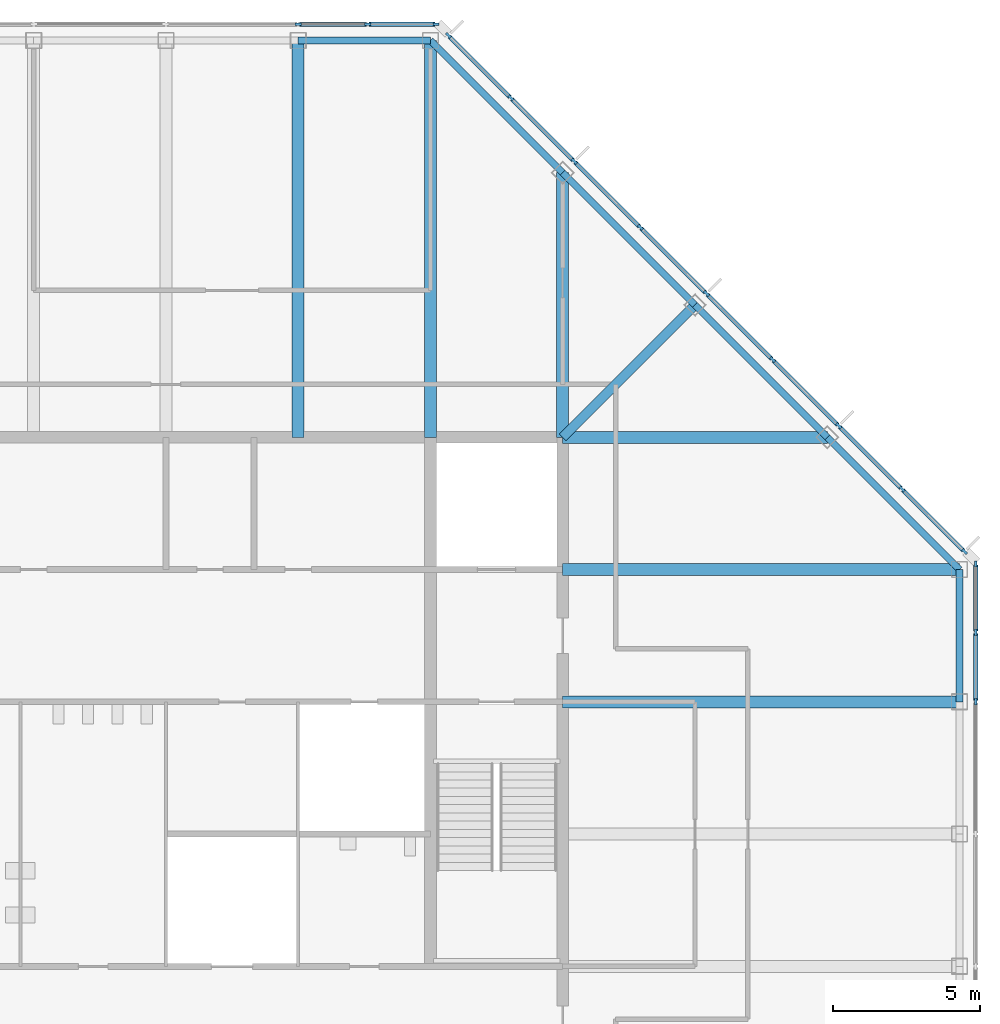
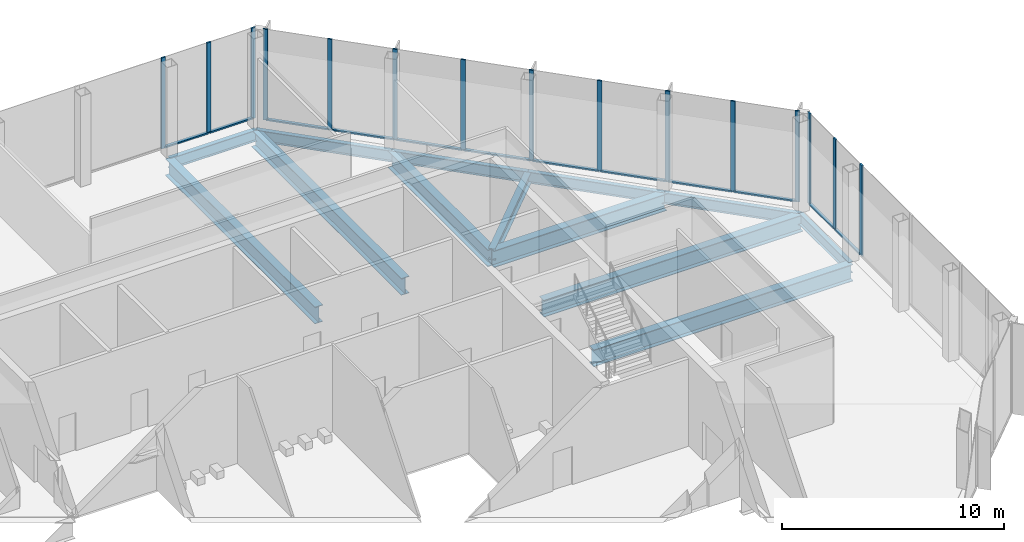
# One storey, part 5 of 11: 27 members, 13 beams, 3 elements without a shape of their own.
"""IFC4 building model written with IfcOpenShell, lengths in metres."""

from ifc_helpers import new_model, si_unit, direction, frame, origin, origin_2d, place, context, subcontext, project, spatial, rectangle, i_section, extrude, material, material_profile, profile_set, type_object, element, aggregate, save


model = new_model("IFC4")

# Units and contexts
model_context = context("Model", 3, precision=1e-05, world=origin(), true_north=direction((0.0, 1.0)))
body_context = subcontext(model_context, "Body", "Model", "MODEL_VIEW")
ifc_project = project(units=[si_unit("LENGTHUNIT", "METRE"), si_unit("AREAUNIT", "SQUARE_METRE"), si_unit("VOLUMEUNIT", "CUBIC_METRE"), si_unit("PLANEANGLEUNIT", "RADIAN"), si_unit("MASSUNIT", "GRAM", prefix="KILO")], contexts=[model_context])

# Site, building, storey
site_placement = place(None, origin())
site = spatial("IfcSite", under=ifc_project, at=site_placement, CompositionType="ELEMENT")
building_placement = place(site_placement, origin())
building = spatial("IfcBuilding", under=site, at=building_placement, Name="Corais Broadcast Tower", CompositionType="ELEMENT")
storey_placement = place(building_placement, frame((0.0, 0.0, 315.10009765625)))
storey = spatial("IfcBuildingStorey", under=building, at=storey_placement, Name="L74", CompositionType="ELEMENT", Elevation=315.10009765625)

# Beam
ifc_material_1 = material(Name="Steel ASTM A572 Grade 50", Category="steel")
ifc_material_profile_1 = material_profile(ifc_material_1, i_section(OverallWidth=0.323974609375, OverallDepth=0.611083984375, WebThickness=0.0126953125, FlangeThickness=0.01904296875, at=origin_2d()), Name="W610x155")
ifc_profile_set_1 = profile_set([ifc_material_profile_1], Name="Steel ASTM A572 Grade 50")
beam_type_1 = type_object("IfcBeamType", Name="Corner diagonal W610x155", PredefinedType="BEAM", material=ifc_profile_set_1)
beam_1_placement = place(storey_placement, frame((45.0, 45.0, -0.485595703125), z_axis=(-0.707106781187, -0.707106781187, 0.0), x_axis=(0.707106781187, -0.707106781187, 0.0)))
element("IfcBeam", 1, at=beam_1_placement, inside=storey, type_object=beam_type_1, Name="B6 L/13 to K/12", PredefinedType="BEAM", context=body_context, shape_type="SweptSolid", body=[
    extrude(i_section(OverallWidth=0.323974609375, OverallDepth=0.611083984375, WebThickness=0.0126953125, FlangeThickness=0.01904296875, at=origin_2d()), origin(), (0.0, 0.0, 1.0), 6.364013671875),
])

# Curtain wall, members
ifc_material_2 = material(Name="Aluminium and glass", Category="aluminium")
curtain_wall_type = type_object("IfcCurtainWallType", Name="Event hall curtain wall CW6", PredefinedType="NOTDEFINED", material=ifc_material_2)
curtain_wall_1_placement = place(storey_placement, origin())
curtain_wall_1 = element("IfcCurtainWall", 2, at=curtain_wall_1_placement, inside=storey, type_object=curtain_wall_type, Name="CW6 curtain wall L74 4", PredefinedType="NOTDEFINED")
ifc_material_3 = material(Name="Aluminium 6063-T6", Category="aluminium")
ifc_material_profile_2 = material_profile(ifc_material_3, rectangle(XDim=0.080078125, YDim=0.219970703125, at=origin_2d()), Name="Mullion CW6 80x220")
ifc_profile_set_2 = profile_set([ifc_material_profile_2], Name="Aluminium 6063-T6")
member_type_1 = type_object("IfcMemberType", Name="Mullion CW6 80x220", PredefinedType="MULLION", material=ifc_profile_set_2)
member_1_placement = place(storey_placement, frame((31.5, 54.550048828125, 0.0), z_axis=(0.0, 0.0, 1.0), x_axis=(0.0, 1.0, 0.0)))
member_1 = element("IfcMember", 3, at=member_1_placement, type_object=member_type_1, Name="CW6 mullion 5", PredefinedType="MULLION", context=body_context, shape_type="SweptSolid", body=[
    extrude(rectangle(XDim=0.080078125, YDim=0.219970703125, at=origin_2d()), origin(), (0.0, 0.0, 1.0), 5.0),
])
member_2_placement = place(storey_placement, frame((33.864013671875, 54.550048828125, 0.0), z_axis=(0.0, 0.0, 1.0), x_axis=(0.0, 1.0, 0.0)))
member_2 = element("IfcMember", 4, at=member_2_placement, type_object=member_type_1, Name="CW6 mullion 6", PredefinedType="MULLION", context=body_context, shape_type="SweptSolid", body=[
    extrude(rectangle(XDim=0.080078125, YDim=0.219970703125, at=origin_2d()), origin(), (0.0, 0.0, 1.0), 5.0),
])
member_3_placement = place(storey_placement, frame((36.187744140625, 54.550048828125, 0.0), z_axis=(0.0, 0.0, 1.0), x_axis=(0.0, 1.0, 0.0)))
member_3 = element("IfcMember", 5, at=member_3_placement, type_object=member_type_1, Name="CW6 mullion 7", PredefinedType="MULLION", context=body_context, shape_type="SweptSolid", body=[
    extrude(rectangle(XDim=0.080078125, YDim=0.219970703125, at=origin_2d()), origin(), (0.0, 0.0, 1.0), 5.0),
])

curtain_wall_2_placement = place(storey_placement, origin())
curtain_wall_2 = element("IfcCurtainWall", 6, at=curtain_wall_2_placement, inside=storey, type_object=curtain_wall_type, Name="CW6 curtain wall L74 5", PredefinedType="NOTDEFINED")
member_4_placement = place(storey_placement, frame((36.609619140625, 54.168212890625, 0.0), z_axis=(0.0, 0.0, 1.0), x_axis=(0.707106781187, 0.707106781187, 0.0)))
member_4 = element("IfcMember", 7, at=member_4_placement, type_object=member_type_1, Name="CW6 mullion 1", PredefinedType="MULLION", context=body_context, shape_type="SweptSolid", body=[
    extrude(rectangle(XDim=0.080078125, YDim=0.219970703125, at=origin_2d()), origin(), (0.0, 0.0, 1.0), 5.0),
])
member_5_placement = place(storey_placement, frame((38.735107421875, 52.042724609375, 0.0), z_axis=(0.0, 0.0, 1.0), x_axis=(0.707106781187, 0.707106781187, 0.0)))
member_5 = element("IfcMember", 8, at=member_5_placement, type_object=member_type_1, Name="CW6 mullion 2", PredefinedType="MULLION", context=body_context, shape_type="SweptSolid", body=[
    extrude(rectangle(XDim=0.080078125, YDim=0.219970703125, at=origin_2d()), origin(), (0.0, 0.0, 1.0), 5.0),
])
member_6_placement = place(storey_placement, frame((40.888916015625, 49.888916015625, 0.0), z_axis=(0.0, 0.0, 1.0), x_axis=(0.707106781187, 0.707106781187, 0.0)))
member_6 = element("IfcMember", 9, at=member_6_placement, type_object=member_type_1, Name="CW6 mullion 3", PredefinedType="MULLION", context=body_context, shape_type="SweptSolid", body=[
    extrude(rectangle(XDim=0.080078125, YDim=0.219970703125, at=origin_2d()), origin(), (0.0, 0.0, 1.0), 5.0),
])
member_7_placement = place(storey_placement, frame((43.138916015625, 47.638916015625, 0.0), z_axis=(0.0, 0.0, 1.0), x_axis=(0.707106781187, 0.707106781187, 0.0)))
member_7 = element("IfcMember", 10, at=member_7_placement, type_object=member_type_1, Name="CW6 mullion 4", PredefinedType="MULLION", context=body_context, shape_type="SweptSolid", body=[
    extrude(rectangle(XDim=0.080078125, YDim=0.219970703125, at=origin_2d()), origin(), (0.0, 0.0, 1.0), 5.0),
])
member_8_placement = place(storey_placement, frame((45.388916015625, 45.388916015625, 0.0), z_axis=(0.0, 0.0, 1.0), x_axis=(0.707106781187, 0.707106781187, 0.0)))
member_8 = element("IfcMember", 11, at=member_8_placement, type_object=member_type_1, Name="CW6 mullion 5", PredefinedType="MULLION", context=body_context, shape_type="SweptSolid", body=[
    extrude(rectangle(XDim=0.080078125, YDim=0.219970703125, at=origin_2d()), origin(), (0.0, 0.0, 1.0), 5.0),
])
member_9_placement = place(storey_placement, frame((47.638916015625, 43.138916015625, 0.0), z_axis=(0.0, 0.0, 1.0), x_axis=(0.707106781187, 0.707106781187, 0.0)))
member_9 = element("IfcMember", 12, at=member_9_placement, type_object=member_type_1, Name="CW6 mullion 6", PredefinedType="MULLION", context=body_context, shape_type="SweptSolid", body=[
    extrude(rectangle(XDim=0.080078125, YDim=0.219970703125, at=origin_2d()), origin(), (0.0, 0.0, 1.0), 5.0),
])
member_10_placement = place(storey_placement, frame((49.888916015625, 40.888916015625, 0.0), z_axis=(0.0, 0.0, 1.0), x_axis=(0.707106781187, 0.707106781187, 0.0)))
member_10 = element("IfcMember", 13, at=member_10_placement, type_object=member_type_1, Name="CW6 mullion 7", PredefinedType="MULLION", context=body_context, shape_type="SweptSolid", body=[
    extrude(rectangle(XDim=0.080078125, YDim=0.219970703125, at=origin_2d()), origin(), (0.0, 0.0, 1.0), 5.0),
])
member_11_placement = place(storey_placement, frame((52.042724609375, 38.735107421875, 0.0), z_axis=(0.0, 0.0, 1.0), x_axis=(0.707106781187, 0.707106781187, 0.0)))
member_11 = element("IfcMember", 14, at=member_11_placement, type_object=member_type_1, Name="CW6 mullion 8", PredefinedType="MULLION", context=body_context, shape_type="SweptSolid", body=[
    extrude(rectangle(XDim=0.080078125, YDim=0.219970703125, at=origin_2d()), origin(), (0.0, 0.0, 1.0), 5.0),
])
member_12_placement = place(storey_placement, frame((54.168212890625, 36.609619140625, 0.0), z_axis=(0.0, 0.0, 1.0), x_axis=(0.707106781187, 0.707106781187, 0.0)))
member_12 = element("IfcMember", 15, at=member_12_placement, type_object=member_type_1, Name="CW6 mullion 9", PredefinedType="MULLION", context=body_context, shape_type="SweptSolid", body=[
    extrude(rectangle(XDim=0.080078125, YDim=0.219970703125, at=origin_2d()), origin(), (0.0, 0.0, 1.0), 5.0),
])

curtain_wall_3_placement = place(storey_placement, origin())
curtain_wall_3 = element("IfcCurtainWall", 16, at=curtain_wall_3_placement, inside=storey, type_object=curtain_wall_type, Name="CW6 curtain wall L74 6", PredefinedType="NOTDEFINED")
member_13_placement = place(storey_placement, frame((54.550048828125, 36.187744140625, 0.0), z_axis=(0.0, 0.0, 1.0), x_axis=(1.0, 0.0, 0.0)))
member_13 = element("IfcMember", 17, at=member_13_placement, type_object=member_type_1, Name="CW6 mullion 1", PredefinedType="MULLION", context=body_context, shape_type="SweptSolid", body=[
    extrude(rectangle(XDim=0.080078125, YDim=0.219970703125, at=origin_2d()), origin(), (0.0, 0.0, 1.0), 5.0),
])
member_14_placement = place(storey_placement, frame((54.550048828125, 33.864013671875, 0.0), z_axis=(0.0, 0.0, 1.0), x_axis=(1.0, 0.0, 0.0)))
member_14 = element("IfcMember", 18, at=member_14_placement, type_object=member_type_1, Name="CW6 mullion 2", PredefinedType="MULLION", context=body_context, shape_type="SweptSolid", body=[
    extrude(rectangle(XDim=0.080078125, YDim=0.219970703125, at=origin_2d()), origin(), (0.0, 0.0, 1.0), 5.0),
])
member_15_placement = place(storey_placement, frame((54.550048828125, 31.5, 0.0), z_axis=(0.0, 0.0, 1.0), x_axis=(1.0, 0.0, 0.0)))
member_15 = element("IfcMember", 19, at=member_15_placement, type_object=member_type_1, Name="CW6 mullion 3", PredefinedType="MULLION", context=body_context, shape_type="SweptSolid", body=[
    extrude(rectangle(XDim=0.080078125, YDim=0.219970703125, at=origin_2d()), origin(), (0.0, 0.0, 1.0), 5.0),
])

# Beams
ifc_material_4 = material(Name="Steel ASTM A572 Grade 50", Category="steel")
ifc_material_profile_3 = material_profile(ifc_material_4, i_section(OverallWidth=0.408935546875, OverallDepth=0.927001953125, WebThickness=0.0166015625, FlangeThickness=0.030029296875, at=origin_2d()), Name="W920x289")
ifc_profile_set_3 = profile_set([ifc_material_profile_3], Name="Steel ASTM A572 Grade 50")
beam_type_2 = type_object("IfcBeamType", Name="Refuge floor beam W920x289", PredefinedType="BEAM", material=ifc_profile_set_3)
for number, where, z_axis, x_axis, name in (
    (20, (31.5, 54.0, -0.6435546875), (0.0, -1.0, 0.0), (1.0, 0.0, 0.0), "B13 N/10 to K/10"),
    (21, (36.0, 54.0, -0.6435546875), (0.0, -1.0, 0.0), (1.0, 0.0, 0.0), "B13 N/11 to K/11"),
):
    element("IfcBeam", number, at=place(storey_placement, frame(where, z_axis=z_axis, x_axis=x_axis)), inside=storey, type_object=beam_type_2, Name=name, PredefinedType="BEAM", context=body_context, shape_type="SweptSolid", body=[
        extrude(i_section(OverallWidth=0.408935546875, OverallDepth=0.927001953125, WebThickness=0.0166015625, FlangeThickness=0.030029296875, at=origin_2d()), origin(), (0.0, 0.0, 1.0), 13.5),
    ])
for number, where, z_axis, x_axis, name in (
    (22, (40.5, 49.5, -0.6435546875), (0.0, -1.0, 0.0), (1.0, 0.0, 0.0), "B13 M/12 to K/12"),
    (23, (49.5, 40.5, -0.6435546875), (-1.0, 0.0, 0.0), (0.0, -1.0, 0.0), "B13 K/14 to K/12"),
):
    element("IfcBeam", number, at=place(storey_placement, frame(where, z_axis=z_axis, x_axis=x_axis)), inside=storey, type_object=beam_type_2, Name=name, PredefinedType="BEAM", context=body_context, shape_type="SweptSolid", body=[
        extrude(i_section(OverallWidth=0.408935546875, OverallDepth=0.927001953125, WebThickness=0.0166015625, FlangeThickness=0.030029296875, at=origin_2d()), origin(), (0.0, 0.0, 1.0), 9.0),
    ])
for number, where, z_axis, x_axis, name in (
    (24, (54.0, 31.5, -0.6435546875), (-1.0, 0.0, 0.0), (0.0, -1.0, 0.0), "B13 H/15 to H/12"),
    (25, (54.0, 36.0, -0.6435546875), (-1.0, 0.0, 0.0), (0.0, -1.0, 0.0), "B13 J/15 to J/12"),
):
    element("IfcBeam", number, at=place(storey_placement, frame(where, z_axis=z_axis, x_axis=x_axis)), inside=storey, type_object=beam_type_2, Name=name, PredefinedType="BEAM", context=body_context, shape_type="SweptSolid", body=[
        extrude(i_section(OverallWidth=0.408935546875, OverallDepth=0.927001953125, WebThickness=0.0166015625, FlangeThickness=0.030029296875, at=origin_2d()), origin(), (0.0, 0.0, 1.0), 13.5),
    ])
ifc_material_5 = material(Name="Steel ASTM A572 Grade 50", Category="steel")
ifc_material_profile_4 = material_profile(ifc_material_5, i_section(OverallWidth=0.22998046875, OverallDepth=0.616943359375, WebThickness=0.01318359375, FlangeThickness=0.022216796875, at=origin_2d()), Name="W610x140")
ifc_profile_set_4 = profile_set([ifc_material_profile_4], Name="Steel ASTM A572 Grade 50")
beam_type_3 = type_object("IfcBeamType", Name="Spandrel W610x140", PredefinedType="BEAM", material=ifc_profile_set_4)
beam_2_placement = place(storey_placement, frame((36.0, 54.0, -0.488525390625), z_axis=(-1.0, 0.0, 0.0), x_axis=(0.0, -1.0, 0.0)))
element("IfcBeam", 26, at=beam_2_placement, inside=storey, type_object=beam_type_3, Name="SB3 N/11 to N/10", PredefinedType="BEAM", context=body_context, shape_type="SweptSolid", body=[
    extrude(i_section(OverallWidth=0.22998046875, OverallDepth=0.616943359375, WebThickness=0.01318359375, FlangeThickness=0.022216796875, at=origin_2d()), origin(), (0.0, 0.0, 1.0), 4.5),
])
for number, where, z_axis, x_axis, name in (
    (27, (40.5, 49.5, -0.488525390625), (-0.707106781187, 0.707106781187, 0.0), (-0.707106781187, -0.707106781187, 0.0), "SB3 M/12 to N/11"),
    (28, (45.0, 45.0, -0.488525390625), (-0.707106781187, 0.707106781187, 0.0), (-0.707106781187, -0.707106781187, 0.0), "SB3 L/13 to M/12"),
    (29, (49.5, 40.5, -0.488525390625), (-0.707106781187, 0.707106781187, 0.0), (-0.707106781187, -0.707106781187, 0.0), "SB3 K/14 to L/13"),
):
    element("IfcBeam", number, at=place(storey_placement, frame(where, z_axis=z_axis, x_axis=x_axis)), inside=storey, type_object=beam_type_3, Name=name, PredefinedType="BEAM", context=body_context, shape_type="SweptSolid", body=[
        extrude(i_section(OverallWidth=0.22998046875, OverallDepth=0.616943359375, WebThickness=0.01318359375, FlangeThickness=0.022216796875, at=origin_2d()), origin(), (0.0, 0.0, 1.0), 6.364013671875),
    ])
beam_3_placement = place(storey_placement, frame((54.0, 31.5, -0.488525390625), z_axis=(0.0, 1.0, 0.0), x_axis=(-1.0, 0.0, 0.0)))
element("IfcBeam", 30, at=beam_3_placement, inside=storey, type_object=beam_type_3, Name="SB3 H/15 to J/15", PredefinedType="BEAM", context=body_context, shape_type="SweptSolid", body=[
    extrude(i_section(OverallWidth=0.22998046875, OverallDepth=0.616943359375, WebThickness=0.01318359375, FlangeThickness=0.022216796875, at=origin_2d()), origin(), (0.0, 0.0, 1.0), 4.5),
])
beam_4_placement = place(storey_placement, frame((54.0, 36.0, -0.488525390625), z_axis=(-0.707106781187, 0.707106781187, 0.0), x_axis=(-0.707106781187, -0.707106781187, 0.0)))
element("IfcBeam", 31, at=beam_4_placement, inside=storey, type_object=beam_type_3, Name="SB3 J/15 to K/14", PredefinedType="BEAM", context=body_context, shape_type="SweptSolid", body=[
    extrude(i_section(OverallWidth=0.22998046875, OverallDepth=0.616943359375, WebThickness=0.01318359375, FlangeThickness=0.022216796875, at=origin_2d()), origin(), (0.0, 0.0, 1.0), 6.364013671875),
])

# Member
ifc_material_6 = material(Name="Aluminium 6063-T6", Category="aluminium")
ifc_material_profile_5 = material_profile(ifc_material_6, rectangle(XDim=0.14990234375, YDim=0.080078125, at=origin_2d()), Name="Transom CW6 80x150")
ifc_profile_set_5 = profile_set([ifc_material_profile_5], Name="Aluminium 6063-T6")
member_type_2 = type_object("IfcMemberType", Name="Transom CW6 80x150", PredefinedType="USERDEFINED", material=ifc_profile_set_5)
member_16_placement = place(storey_placement, frame((31.5400390625, 54.550048828125, 0.039794921875), z_axis=(1.0, 0.0, 0.0), x_axis=(0.0, 1.0, 0.0)))
member_16 = element("IfcMember", 32, at=member_16_placement, type_object=member_type_2, Name="CW6 transom 5.1", ObjectType="TRANSOM", PredefinedType="USERDEFINED", context=body_context, shape_type="SweptSolid", body=[
    extrude(rectangle(XDim=0.14990234375, YDim=0.080078125, at=origin_2d()), origin(), (0.0, 0.0, 1.0), 2.283935546875),
])

member_17_placement = place(storey_placement, frame((33.90380859375, 54.550048828125, 0.039794921875), z_axis=(1.0, 0.0, 0.0), x_axis=(0.0, 1.0, 0.0)))
member_17 = element("IfcMember", 33, at=member_17_placement, type_object=member_type_2, Name="CW6 transom 6.1", ObjectType="TRANSOM", PredefinedType="USERDEFINED", context=body_context, shape_type="SweptSolid", body=[
    extrude(rectangle(XDim=0.14990234375, YDim=0.080078125, at=origin_2d()), origin(), (0.0, 0.0, 1.0), 2.243896484375),
])

aggregate(curtain_wall_1, [member_1, member_2, member_3, member_16, member_17])

member_18_placement = place(storey_placement, frame((36.637939453125, 54.139892578125, 0.039794921875), z_axis=(0.707106781187, -0.707106781187, 0.0), x_axis=(0.707106781187, 0.707106781187, 0.0)))
member_18 = element("IfcMember", 34, at=member_18_placement, type_object=member_type_2, Name="CW6 transom 1.1", ObjectType="TRANSOM", PredefinedType="USERDEFINED", context=body_context, shape_type="SweptSolid", body=[
    extrude(rectangle(XDim=0.14990234375, YDim=0.080078125, at=origin_2d()), origin(), (0.0, 0.0, 1.0), 2.92578125),
])

member_19_placement = place(storey_placement, frame((38.763427734375, 52.014404296875, 0.039794921875), z_axis=(0.707106781187, -0.707106781187, 0.0), x_axis=(0.707106781187, 0.707106781187, 0.0)))
member_19 = element("IfcMember", 35, at=member_19_placement, type_object=member_type_2, Name="CW6 transom 2.1", ObjectType="TRANSOM", PredefinedType="USERDEFINED", context=body_context, shape_type="SweptSolid", body=[
    extrude(rectangle(XDim=0.14990234375, YDim=0.080078125, at=origin_2d()), origin(), (0.0, 0.0, 1.0), 2.9658203125),
])

member_20_placement = place(storey_placement, frame((40.917236328125, 49.860595703125, 0.039794921875), z_axis=(0.707106781187, -0.707106781187, 0.0), x_axis=(0.707106781187, 0.707106781187, 0.0)))
member_20 = element("IfcMember", 36, at=member_20_placement, type_object=member_type_2, Name="CW6 transom 3.1", ObjectType="TRANSOM", PredefinedType="USERDEFINED", context=body_context, shape_type="SweptSolid", body=[
    extrude(rectangle(XDim=0.14990234375, YDim=0.080078125, at=origin_2d()), origin(), (0.0, 0.0, 1.0), 3.101806640625),
])

member_21_placement = place(storey_placement, frame((43.167236328125, 47.610595703125, 0.039794921875), z_axis=(0.707106781187, -0.707106781187, 0.0), x_axis=(0.707106781187, 0.707106781187, 0.0)))
member_21 = element("IfcMember", 37, at=member_21_placement, type_object=member_type_2, Name="CW6 transom 4.1", ObjectType="TRANSOM", PredefinedType="USERDEFINED", context=body_context, shape_type="SweptSolid", body=[
    extrude(rectangle(XDim=0.14990234375, YDim=0.080078125, at=origin_2d()), origin(), (0.0, 0.0, 1.0), 3.101806640625),
])

member_22_placement = place(storey_placement, frame((45.417236328125, 45.360595703125, 0.039794921875), z_axis=(0.707106781187, -0.707106781187, 0.0), x_axis=(0.707106781187, 0.707106781187, 0.0)))
member_22 = element("IfcMember", 38, at=member_22_placement, type_object=member_type_2, Name="CW6 transom 5.1", ObjectType="TRANSOM", PredefinedType="USERDEFINED", context=body_context, shape_type="SweptSolid", body=[
    extrude(rectangle(XDim=0.14990234375, YDim=0.080078125, at=origin_2d()), origin(), (0.0, 0.0, 1.0), 3.101806640625),
])

member_23_placement = place(storey_placement, frame((47.667236328125, 43.110595703125, 0.039794921875), z_axis=(0.707106781187, -0.707106781187, 0.0), x_axis=(0.707106781187, 0.707106781187, 0.0)))
member_23 = element("IfcMember", 39, at=member_23_placement, type_object=member_type_2, Name="CW6 transom 6.1", ObjectType="TRANSOM", PredefinedType="USERDEFINED", context=body_context, shape_type="SweptSolid", body=[
    extrude(rectangle(XDim=0.14990234375, YDim=0.080078125, at=origin_2d()), origin(), (0.0, 0.0, 1.0), 3.101806640625),
])

member_24_placement = place(storey_placement, frame((49.917236328125, 40.860595703125, 0.039794921875), z_axis=(0.707106781187, -0.707106781187, 0.0), x_axis=(0.707106781187, 0.707106781187, 0.0)))
member_24 = element("IfcMember", 40, at=member_24_placement, type_object=member_type_2, Name="CW6 transom 7.1", ObjectType="TRANSOM", PredefinedType="USERDEFINED", context=body_context, shape_type="SweptSolid", body=[
    extrude(rectangle(XDim=0.14990234375, YDim=0.080078125, at=origin_2d()), origin(), (0.0, 0.0, 1.0), 2.9658203125),
])

member_25_placement = place(storey_placement, frame((52.07080078125, 38.706787109375, 0.039794921875), z_axis=(0.707148499631, -0.70706506028, 0.0), x_axis=(0.70706506028, 0.707148499631, 0.0)))
member_25 = element("IfcMember", 41, at=member_25_placement, type_object=member_type_2, Name="CW6 transom 8.1", ObjectType="TRANSOM", PredefinedType="USERDEFINED", context=body_context, shape_type="SweptSolid", body=[
    extrude(rectangle(XDim=0.14990234375, YDim=0.080078125, at=origin_2d()), origin(), (0.0, 0.0, 1.0), 2.926025390625),
])

aggregate(curtain_wall_2, [member_4, member_5, member_6, member_7, member_8, member_9, member_10, member_11, member_12, member_18, member_19, member_20, member_21, member_22, member_23, member_24, member_25])

member_26_placement = place(storey_placement, frame((54.550048828125, 36.147705078125, 0.039794921875), z_axis=(0.0, -1.0, 0.0), x_axis=(1.0, 0.0, 0.0)))
member_26 = element("IfcMember", 42, at=member_26_placement, type_object=member_type_2, Name="CW6 transom 1.1", ObjectType="TRANSOM", PredefinedType="USERDEFINED", context=body_context, shape_type="SweptSolid", body=[
    extrude(rectangle(XDim=0.14990234375, YDim=0.080078125, at=origin_2d()), origin(), (0.0, 0.0, 1.0), 2.243896484375),
])

member_27_placement = place(storey_placement, frame((54.550048828125, 33.823974609375, 0.039794921875), z_axis=(0.0, -1.0, 0.0), x_axis=(1.0, 0.0, 0.0)))
member_27 = element("IfcMember", 43, at=member_27_placement, type_object=member_type_2, Name="CW6 transom 2.1", ObjectType="TRANSOM", PredefinedType="USERDEFINED", context=body_context, shape_type="SweptSolid", body=[
    extrude(rectangle(XDim=0.14990234375, YDim=0.080078125, at=origin_2d()), origin(), (0.0, 0.0, 1.0), 2.283935546875),
])

aggregate(curtain_wall_3, [member_13, member_14, member_15, member_26, member_27])

save(model, "model.ifc")
